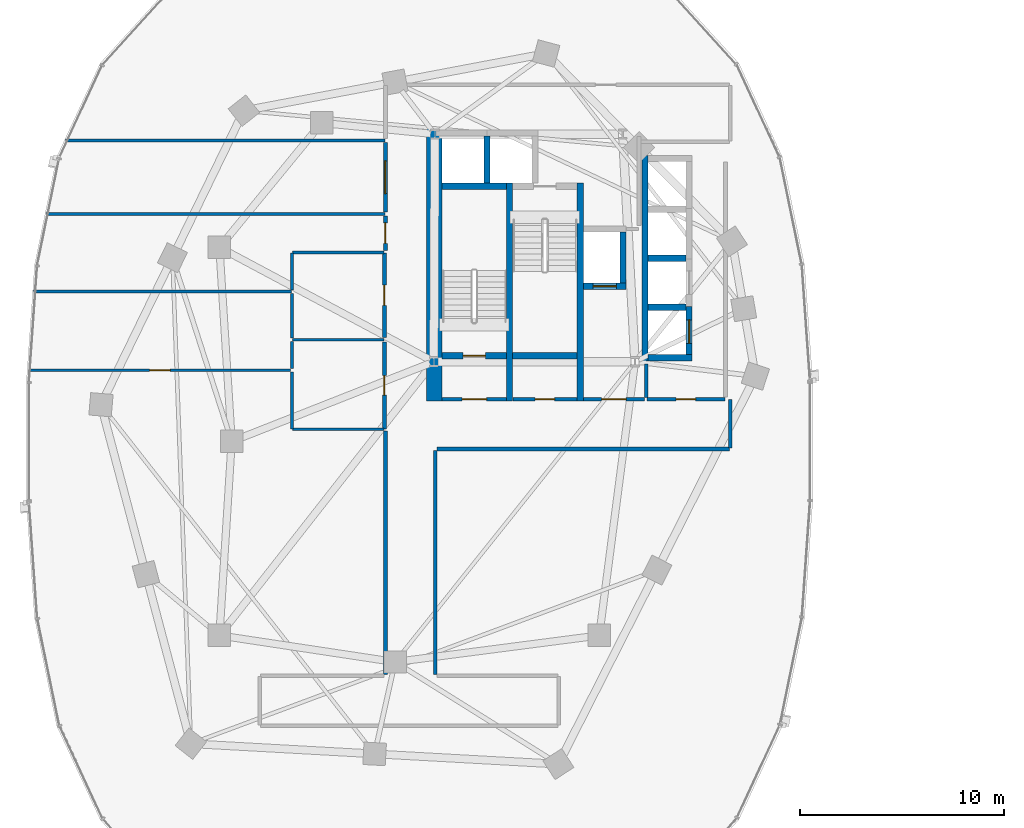
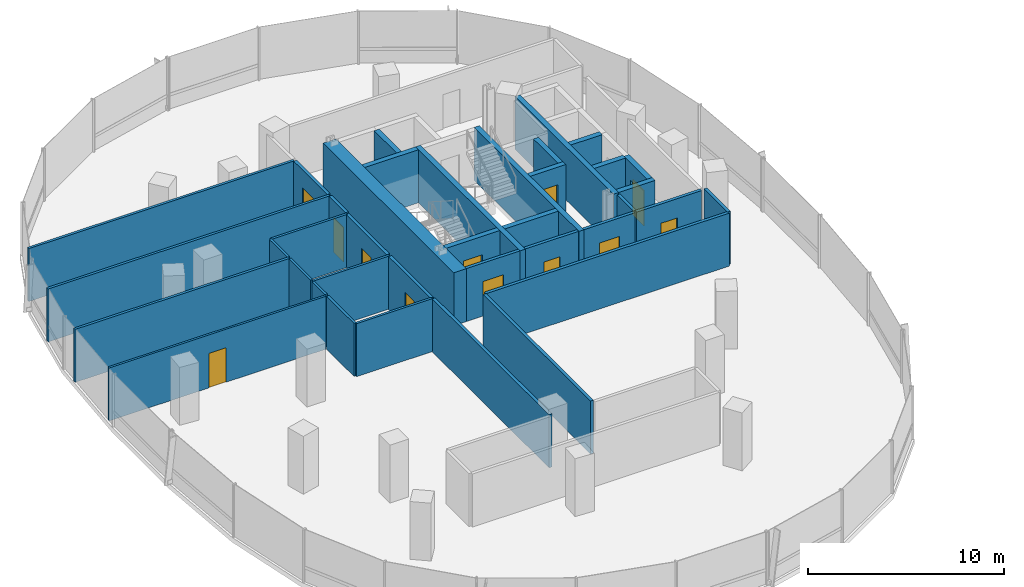
# One storey, part 11 of 21: 38 walls, 12 doors, 12 openings.
"""IFC4 building model written with IfcOpenShell, lengths in metres."""

from ifc_helpers import new_model, si_unit, direction, frame, frame_2d, origin, place, context, subcontext, project, spatial, rectangle, extrude, material, layer, layer_set, type_object, element, fill, save


model = new_model("IFC4")

# Units and contexts
model_context = context("Model", 3, precision=1e-05, world=origin(), true_north=direction((0.0, 1.0)))
body_context = subcontext(model_context, "Body", "Model", "MODEL_VIEW")
ifc_project = project(units=[si_unit("LENGTHUNIT", "METRE"), si_unit("AREAUNIT", "SQUARE_METRE"), si_unit("VOLUMEUNIT", "CUBIC_METRE"), si_unit("PLANEANGLEUNIT", "RADIAN"), si_unit("MASSUNIT", "GRAM", prefix="KILO"), si_unit("THERMODYNAMICTEMPERATUREUNIT", "KELVIN"), si_unit("POWERUNIT", "WATT")], contexts=[model_context])

# Site, building, storey
site_placement = place(None, origin())
site = spatial("IfcSite", under=ifc_project, at=site_placement, CompositionType="ELEMENT")
building_placement = place(site_placement, origin())
building = spatial("IfcBuilding", under=site, at=building_placement, Name="Cundina Bronze Exchange", CompositionType="ELEMENT")
storey_placement = place(building_placement, frame((0.0, 0.0, 85.39990234375)))
storey = spatial("IfcBuildingStorey", under=building, at=storey_placement, Name="L21", CompositionType="ELEMENT", Elevation=85.39990234375)

# Wall
ifc_material_1 = material(Name="Gypsum Fireboard Partition EI120")
ifc_layer_1 = layer(ifc_material_1, 0.179931640625, Name="Gypsum Fireboard Partition EI120")
ifc_layer_set_1 = layer_set([ifc_layer_1], Name="Gypsum Fireboard Partition EI120")
wall_type_1 = type_object("IfcWallType", Name="WL-COR-180", PredefinedType="PARTITIONING", material=ifc_layer_set_1)
wall_1_placement = place(storey_placement, frame((-20.889892578125, 2.14990234375, 0.0), z_axis=(0.0, 0.0, 1.0), x_axis=(0.0, 1.0, 0.0)))
element("IfcWall", 1, at=wall_1_placement, inside=storey, type_object=wall_type_1, Name="L21 W Firefighting Lobby Side Wall", PredefinedType="PARTITIONING", context=body_context, shape_type="SweptSolid", body=[
    extrude(rectangle(XDim=1.650146484375, YDim=0.179931640625, at=frame_2d((0.8251953125, 0.0))), origin(), (0.0, 0.0, 1.0), 3.300048828125),
])

# Wall, opening, door
wall_2_placement = place(storey_placement, frame((-23.97998046875, 2.06005859375, 0.0), z_axis=(0.0, 0.0, 1.0), x_axis=(1.0, 0.0, 0.0)))
wall_2 = element("IfcWall", 2, at=wall_2_placement, inside=storey, type_object=wall_type_1, Name="L21 W Firefighting Lobby Exit Wall", PredefinedType="PARTITIONING", context=body_context, shape_type="SweptSolid", body=[
    extrude(rectangle(XDim=3.0, YDim=0.179931640625, at=frame_2d((1.5, 0.0))), origin(), (0.0, 0.0, 1.0), 3.300048828125),
])
opening_1_placement = place(wall_2_placement, frame((0.89990234375, 0.0, 0.0)))
opening_1 = element("IfcOpeningElement", 3, at=opening_1_placement, cuts=wall_2, Name="Opening DF-01", PredefinedType="OPENING", context=body_context, shape_type="SweptSolid", body=[
    extrude(rectangle(XDim=1.199951171875, YDim=2.14990234375, at=frame_2d((0.60009765625, 1.074951171875))), frame((0.0, 0.099853515625, 0.0), z_axis=(0.0, -1.0, 0.0), x_axis=(1.0, 0.0, 0.0)), (0.0, 0.0, 1.0), 0.199951171875),
])
ifc_material_2 = material(Name="Steel ASTM A36 Painted", Category="steel")
door_type_1 = type_object("IfcDoorType", Name="DR-FFL-1200", OperationType="NOTDEFINED", PredefinedType="DOOR", material=ifc_material_2)
door_1_placement = place(opening_1_placement, origin())
door_1 = element("IfcDoor", 4, at=door_1_placement, inside=storey, type_object=door_type_1, Name="L21 W Firefighting Lobby Door", OperationType="SINGLE_SWING_RIGHT", OverallHeight=2.14990234375, OverallWidth=1.199951171875, PredefinedType="DOOR", context=body_context, shape_type="SweptSolid", body=[
    extrude(rectangle(XDim=1.199951171875, YDim=2.14990234375, at=frame_2d((0.60009765625, 1.074951171875))), frame((0.0, 0.02490234375, 0.0), z_axis=(0.0, -1.0, 0.0), x_axis=(1.0, 0.0, 0.0)), (0.0, 0.0, 1.0), 0.050048828125),
])
fill(opening_1, door_1)

wall_3_placement = place(storey_placement, frame((-30.89990234375, 2.06005859375, 0.0), z_axis=(0.0, 0.0, 1.0), x_axis=(1.0, 0.0, 0.0)))
wall_3 = element("IfcWall", 5, at=wall_3_placement, inside=storey, type_object=wall_type_1, Name="L21 W Stair Vestibule Exit Wall", PredefinedType="PARTITIONING", context=body_context, shape_type="SweptSolid", body=[
    extrude(rectangle(XDim=3.159912109375, YDim=0.179931640625, at=frame_2d((1.580078125, 0.0))), origin(), (0.0, 0.0, 1.0), 3.300048828125),
])
opening_2_placement = place(wall_3_placement, frame((0.97998046875, 0.0, 0.0)))
opening_2 = element("IfcOpeningElement", 6, at=opening_2_placement, cuts=wall_3, Name="Opening DF-01", PredefinedType="OPENING", context=body_context, shape_type="SweptSolid", body=[
    extrude(rectangle(XDim=1.199951171875, YDim=2.14990234375, at=frame_2d((0.60009765625, 1.074951171875))), frame((0.0, 0.099853515625, 0.0), z_axis=(0.0, -1.0, 0.0), x_axis=(1.0, 0.0, 0.0)), (0.0, 0.0, 1.0), 0.199951171875),
])
door_2_placement = place(opening_2_placement, origin())
door_2 = element("IfcDoor", 7, at=door_2_placement, inside=storey, type_object=door_type_1, Name="L21 W Stair Vestibule Door", OperationType="SINGLE_SWING_LEFT", OverallHeight=2.14990234375, OverallWidth=1.199951171875, PredefinedType="DOOR", context=body_context, shape_type="SweptSolid", body=[
    extrude(rectangle(XDim=1.199951171875, YDim=2.14990234375, at=frame_2d((0.60009765625, 1.074951171875))), frame((0.0, 0.02490234375, 0.0), z_axis=(0.0, -1.0, 0.0), x_axis=(1.0, 0.0, 0.0)), (0.0, 0.0, 1.0), 0.050048828125),
])
fill(opening_2, door_2)

wall_4_placement = place(storey_placement, frame((-20.8701171875, 2.070068359375, 0.0), z_axis=(0.0, 0.0, 1.0), x_axis=(1.0, 0.0, 0.0)))
wall_4 = element("IfcWall", 8, at=wall_4_placement, inside=storey, type_object=wall_type_1, Name="L21 Interior Partition 002", PredefinedType="PARTITIONING", context=body_context, shape_type="SweptSolid", body=[
    extrude(rectangle(XDim=3.830078125, YDim=0.179931640625, at=frame_2d((1.9150390625, 0.0))), origin(), (0.0, 0.0, 1.0), 3.300048828125),
])
opening_3_placement = place(wall_4_placement, frame((1.43994140625, 0.0, 0.0)))
opening_3 = element("IfcOpeningElement", 9, at=opening_3_placement, cuts=wall_4, Name="Opening DW-01", PredefinedType="OPENING", context=body_context, shape_type="SweptSolid", body=[
    extrude(rectangle(XDim=0.949951171875, YDim=2.10009765625, at=frame_2d((0.47509765625, 1.050048828125))), frame((0.0, 0.099853515625, 0.0), z_axis=(0.0, -1.0, 0.0), x_axis=(1.0, 0.0, 0.0)), (0.0, 0.0, 1.0), 0.199951171875),
])
ifc_material_3 = material(Name="Solid Andean Oak Timber Grade A", Category="wood")
door_type_2 = type_object("IfcDoorType", Name="DR-WC-950", OperationType="NOTDEFINED", PredefinedType="DOOR", material=ifc_material_3)
door_3_placement = place(opening_3_placement, origin())
door_3 = element("IfcDoor", 10, at=door_3_placement, inside=storey, type_object=door_type_2, Name="L21 Interior Door 002", OperationType="SINGLE_SWING_RIGHT", OverallHeight=2.10009765625, OverallWidth=0.949951171875, PredefinedType="DOOR", context=body_context, shape_type="SweptSolid", body=[
    extrude(rectangle(XDim=0.949951171875, YDim=2.10009765625, at=frame_2d((0.47509765625, 1.050048828125))), frame((0.0, 0.02490234375, 0.0), z_axis=(0.0, -1.0, 0.0), x_axis=(1.0, 0.0, 0.0)), (0.0, 0.0, 1.0), 0.050048828125),
])
fill(opening_3, door_3)

wall_5_placement = place(storey_placement, frame((-27.419921875, 2.070068359375, 0.0), z_axis=(0.0, 0.0, 1.0), x_axis=(1.0, 0.0, 0.0)))
wall_5 = element("IfcWall", 11, at=wall_5_placement, inside=storey, type_object=wall_type_1, Name="L21 Interior Partition 005", PredefinedType="PARTITIONING", context=body_context, shape_type="SweptSolid", body=[
    extrude(rectangle(XDim=3.119873046875, YDim=0.179931640625, at=frame_2d((1.56005859375, 0.0))), origin(), (0.0, 0.0, 1.0), 3.300048828125),
])
opening_4_placement = place(wall_5_placement, frame((1.0849609375, 0.0, 0.0)))
opening_4 = element("IfcOpeningElement", 12, at=opening_4_placement, cuts=wall_5, Name="Opening DW-01", PredefinedType="OPENING", context=body_context, shape_type="SweptSolid", body=[
    extrude(rectangle(XDim=0.949951171875, YDim=2.10009765625, at=frame_2d((0.47509765625, 1.050048828125))), frame((0.0, 0.099853515625, 0.0), z_axis=(0.0, -1.0, 0.0), x_axis=(1.0, 0.0, 0.0)), (0.0, 0.0, 1.0), 0.199951171875),
])
door_4_placement = place(opening_4_placement, origin())
door_4 = element("IfcDoor", 13, at=door_4_placement, inside=storey, type_object=door_type_2, Name="L21 Interior Door 005", OperationType="SINGLE_SWING_RIGHT", OverallHeight=2.10009765625, OverallWidth=0.949951171875, PredefinedType="DOOR", context=body_context, shape_type="SweptSolid", body=[
    extrude(rectangle(XDim=0.949951171875, YDim=2.10009765625, at=frame_2d((0.47509765625, 1.050048828125))), frame((0.0, 0.02490234375, 0.0), z_axis=(0.0, -1.0, 0.0), x_axis=(1.0, 0.0, 0.0)), (0.0, 0.0, 1.0), 0.050048828125),
])
fill(opening_4, door_4)

wall_6_placement = place(storey_placement, frame((-33.719970703125, 0.6201171875, 0.0), z_axis=(0.0, 0.0, 1.0), x_axis=(0.0, 1.0, 0.0)))
wall_6 = element("IfcWall", 14, at=wall_6_placement, inside=storey, type_object=wall_type_1, Name="L21 Interior Partition 013", PredefinedType="PARTITIONING", context=body_context, shape_type="SweptSolid", body=[
    extrude(rectangle(XDim=4.259765625, YDim=0.179931640625, at=frame_2d((2.1298828125, 0.0))), origin(), (0.0, 0.0, 1.0), 3.300048828125),
])
opening_5_placement = place(wall_6_placement, frame((1.655029296875, 0.0, 0.0)))
opening_5 = element("IfcOpeningElement", 15, at=opening_5_placement, cuts=wall_6, Name="Opening DW-01", PredefinedType="OPENING", context=body_context, shape_type="SweptSolid", body=[
    extrude(rectangle(XDim=0.949951171875, YDim=2.10009765625, at=frame_2d((0.47509765625, 1.050048828125))), frame((0.0, 0.099853515625, 0.0), z_axis=(0.0, -1.0, 0.0), x_axis=(1.0, 0.0, 0.0)), (0.0, 0.0, 1.0), 0.199951171875),
])
door_5_placement = place(opening_5_placement, origin())
door_5 = element("IfcDoor", 16, at=door_5_placement, inside=storey, type_object=door_type_2, Name="L21 Interior Door 013", OperationType="SINGLE_SWING_RIGHT", OverallHeight=2.10009765625, OverallWidth=0.949951171875, PredefinedType="DOOR", context=body_context, shape_type="SweptSolid", body=[
    extrude(rectangle(XDim=0.949951171875, YDim=2.10009765625, at=frame_2d((0.47509765625, 1.050048828125))), frame((0.0, 0.02490234375, 0.0), z_axis=(0.0, -1.0, 0.0), x_axis=(1.0, 0.0, 0.0)), (0.0, 0.0, 1.0), 0.050048828125),
])
fill(opening_5, door_5)

wall_7_placement = place(storey_placement, frame((-33.719970703125, 5.080078125, 0.0), z_axis=(0.0, 0.0, 1.0), x_axis=(0.0, 1.0, 0.0)))
wall_7 = element("IfcWall", 17, at=wall_7_placement, inside=storey, type_object=wall_type_1, Name="L21 Interior Partition 014", PredefinedType="PARTITIONING", context=body_context, shape_type="SweptSolid", body=[
    extrude(rectangle(XDim=4.159912109375, YDim=0.179931640625, at=frame_2d((2.080078125, 0.0))), origin(), (0.0, 0.0, 1.0), 3.300048828125),
])
opening_6_placement = place(wall_7_placement, frame((1.580078125, 0.0, 0.0)))
opening_6 = element("IfcOpeningElement", 18, at=opening_6_placement, cuts=wall_7, Name="Opening DO-01", PredefinedType="OPENING", context=body_context, shape_type="SweptSolid", body=[
    extrude(rectangle(XDim=1.0, YDim=2.14990234375, at=frame_2d((0.5, 1.074951171875))), frame((0.0, 0.099853515625, 0.0), z_axis=(0.0, -1.0, 0.0), x_axis=(1.0, 0.0, 0.0)), (0.0, 0.0, 1.0), 0.199951171875),
])
door_type_3 = type_object("IfcDoorType", Name="DR-OFF-1000", OperationType="NOTDEFINED", PredefinedType="DOOR", material=ifc_material_3)
door_6_placement = place(opening_6_placement, origin())
door_6 = element("IfcDoor", 19, at=door_6_placement, inside=storey, type_object=door_type_3, Name="L21 Interior Door 014", OperationType="SINGLE_SWING_RIGHT", OverallHeight=2.14990234375, OverallWidth=1.0, PredefinedType="DOOR", context=body_context, shape_type="SweptSolid", body=[
    extrude(rectangle(XDim=1.0, YDim=2.14990234375, at=frame_2d((0.5, 1.074951171875))), frame((0.0, 0.02490234375, 0.0), z_axis=(0.0, -1.0, 0.0), x_axis=(1.0, 0.0, 0.0)), (0.0, 0.0, 1.0), 0.050048828125),
])
fill(opening_6, door_6)

# Walls
wall_8_placement = place(storey_placement, frame((-31.14990234375, -0.3701171875, 0.0), z_axis=(0.0, 0.0, 1.0), x_axis=(1.0, 0.0, 0.0)))
element("IfcWall", 20, at=wall_8_placement, inside=storey, type_object=wall_type_1, Name="L21 Interior Partition 020", PredefinedType="PARTITIONING", context=body_context, shape_type="SweptSolid", body=[
    extrude(rectangle(XDim=14.328369140625, YDim=0.179931640625, at=frame_2d((7.1640625, 0.0))), origin(), (0.0, 0.0, 1.0), 3.300048828125),
])
wall_9_placement = place(storey_placement, frame((-33.669921875, 0.508544921875, 0.0), z_axis=(0.0, 0.0, 1.0), x_axis=(0.0, -1.0, 0.0)))
element("IfcWall", 21, at=wall_9_placement, inside=storey, type_object=wall_type_1, Name="L21 Interior Partition 021", PredefinedType="PARTITIONING", context=body_context, shape_type="SweptSolid", body=[
    extrude(rectangle(XDim=11.908447265625, YDim=0.179931640625, at=frame_2d((5.9541015625, 0.0))), origin(), (0.0, 0.0, 1.0), 3.300048828125),
])
wall_10_placement = place(storey_placement, frame((-31.22998046875, -11.39990234375, 0.0), z_axis=(0.0, 0.0, 1.0), x_axis=(0.0, 1.0, 0.0)))
element("IfcWall", 22, at=wall_10_placement, inside=storey, type_object=wall_type_1, Name="L21 Interior Partition 022", PredefinedType="PARTITIONING", context=body_context, shape_type="SweptSolid", body=[
    extrude(rectangle(XDim=10.949951171875, YDim=0.179931640625, at=frame_2d((5.47509765625, 0.0))), origin(), (0.0, 0.0, 1.0), 3.300048828125),
])
wall_11_placement = place(storey_placement, frame((-16.780029296875, -0.32861328125, 0.0), z_axis=(0.0, 0.0, 1.0), x_axis=(0.0, 1.0, 0.0)))
element("IfcWall", 23, at=wall_11_placement, inside=storey, type_object=wall_type_1, Name="L21 Interior Partition 028", PredefinedType="PARTITIONING", context=body_context, shape_type="SweptSolid", body=[
    extrude(rectangle(XDim=2.38720703125, YDim=0.179931640625, at=frame_2d((1.193603515625, 0.0))), origin(), (0.0, 0.0, 1.0), 3.300048828125),
])

# Wall, opening, door
wall_12_placement = place(storey_placement, frame((-33.669921875, 11.050048828125, 0.0), z_axis=(0.0, 0.0, 1.0), x_axis=(0.0, -1.0, 0.0)))
wall_12 = element("IfcWall", 24, at=wall_12_placement, inside=storey, type_object=wall_type_1, Name="L21 Interior Partition 031", PredefinedType="PARTITIONING", context=body_context, shape_type="SweptSolid", body=[
    extrude(rectangle(XDim=1.69873046875, YDim=0.179931640625, at=frame_2d((0.849365234375, 0.0))), origin(), (0.0, 0.0, 1.0), 3.300048828125),
])
opening_7_placement = place(wall_12_placement, frame((0.349365234375, 0.0, 0.0)))
opening_7 = element("IfcOpeningElement", 25, at=opening_7_placement, cuts=wall_12, Name="Opening DO-01", PredefinedType="OPENING", context=body_context, shape_type="SweptSolid", body=[
    extrude(rectangle(XDim=1.0, YDim=2.14990234375, at=frame_2d((0.5, 1.074951171875))), frame((0.0, 0.099853515625, 0.0), z_axis=(0.0, -1.0, 0.0), x_axis=(1.0, 0.0, 0.0)), (0.0, 0.0, 1.0), 0.199951171875),
])
door_7_placement = place(opening_7_placement, origin())
door_7 = element("IfcDoor", 26, at=door_7_placement, inside=storey, type_object=door_type_3, Name="L21 Interior Door 031", OperationType="SINGLE_SWING_RIGHT", OverallHeight=2.14990234375, OverallWidth=1.0, PredefinedType="DOOR", context=body_context, shape_type="SweptSolid", body=[
    extrude(rectangle(XDim=1.0, YDim=2.14990234375, at=frame_2d((0.5, 1.074951171875))), frame((0.0, 0.02490234375, 0.0), z_axis=(0.0, -1.0, 0.0), x_axis=(1.0, 0.0, 0.0)), (0.0, 0.0, 1.0), 0.050048828125),
])
fill(opening_7, door_7)

wall_13_placement = place(storey_placement, frame((-33.669921875, 14.64990234375, 0.0), z_axis=(0.0, 0.0, 1.0), x_axis=(0.0, -1.0, 0.0)))
wall_13 = element("IfcWall", 27, at=wall_13_placement, inside=storey, type_object=wall_type_1, Name="L21 Interior Partition 032", PredefinedType="PARTITIONING", context=body_context, shape_type="SweptSolid", body=[
    extrude(rectangle(XDim=3.419921875, YDim=0.179931640625, at=frame_2d((1.7099609375, 0.0))), origin(), (0.0, 0.0, 1.0), 3.300048828125),
])
opening_8_placement = place(wall_13_placement, frame((0.909912109375, 0.0, 0.0)))
opening_8 = element("IfcOpeningElement", 28, at=opening_8_placement, cuts=wall_13, Name="Opening DO-02", PredefinedType="OPENING", context=body_context, shape_type="SweptSolid", body=[
    extrude(rectangle(XDim=1.60009765625, YDim=2.199951171875, at=frame_2d((0.800048828125, 1.10009765625))), frame((0.0, 0.099853515625, 0.0), z_axis=(0.0, -1.0, 0.0), x_axis=(1.0, 0.0, 0.0)), (0.0, 0.0, 1.0), 0.199951171875),
])
door_type_4 = type_object("IfcDoorType", Name="DR-TRD-1600", OperationType="NOTDEFINED", PredefinedType="DOOR", material=ifc_material_3)
door_8_placement = place(opening_8_placement, origin())
door_8 = element("IfcDoor", 29, at=door_8_placement, inside=storey, type_object=door_type_4, Name="L21 Interior Door 032", OperationType="SINGLE_SWING_RIGHT", OverallHeight=2.199951171875, OverallWidth=1.60009765625, PredefinedType="DOOR", context=body_context, shape_type="SweptSolid", body=[
    extrude(rectangle(XDim=1.60009765625, YDim=2.199951171875, at=frame_2d((0.800048828125, 1.10009765625))), frame((0.0, 0.02490234375, 0.0), z_axis=(0.0, -1.0, 0.0), x_axis=(1.0, 0.0, 0.0)), (0.0, 0.0, 1.0), 0.050048828125),
])
fill(opening_8, door_8)

# Wall
ifc_material_4 = material(Name="Concrete C60/75", Category="concrete")
ifc_layer_2 = layer(ifc_material_4, 0.75, Name="Concrete C60/75", Category="concrete")
ifc_layer_set_2 = layer_set([ifc_layer_2], Name="Concrete C60/75")
wall_type_2 = type_object("IfcWallType", Name="WL-CORE-750", PredefinedType="SHEAR", material=ifc_layer_set_2)
wall_14_placement = place(storey_placement, frame((-31.27490234375, 1.969970703125, 0.0), z_axis=(0.0, 0.0, 1.0), x_axis=(0.0, 1.0, 0.0)))
element("IfcWall", 30, at=wall_14_placement, inside=storey, type_object=wall_type_2, Name="L21 W Primary Core Shear Spine Wall", PredefinedType="SHEAR", context=body_context, shape_type="SweptSolid", body=[
    extrude(rectangle(XDim=13.330078125, YDim=0.75, at=frame_2d((6.6650390625, 0.0))), origin(), (0.0, 0.0, 1.0), 3.300048828125),
])

# Wall, opening, door
ifc_material_5 = material(Name="Gypsum Acoustic Partition EI60")
ifc_layer_3 = layer(ifc_material_5, 0.125, Name="Gypsum Acoustic Partition EI60")
ifc_layer_set_3 = layer_set([ifc_layer_3], Name="Gypsum Acoustic Partition EI60")
wall_type_3 = type_object("IfcWallType", Name="WL-OFF-125", PredefinedType="PARTITIONING", material=ifc_layer_set_3)
wall_15_placement = place(storey_placement, frame((-38.320068359375, 3.489990234375, 0.0), z_axis=(0.0, 0.0, 1.0), x_axis=(-1.0, 0.0, 0.0)))
wall_15 = element("IfcWall", 31, at=wall_15_placement, inside=storey, type_object=wall_type_3, Name="L21 Interior Partition 033", PredefinedType="PARTITIONING", context=body_context, shape_type="SweptSolid", body=[
    extrude(rectangle(XDim=12.7900390625, YDim=0.125, at=frame_2d((6.39501953125, 0.0))), origin(), (0.0, 0.0, 1.0), 3.300048828125),
])
opening_9_placement = place(wall_15_placement, frame((5.89501953125, 0.0, 0.0)))
opening_9 = element("IfcOpeningElement", 32, at=opening_9_placement, cuts=wall_15, Name="Opening DO-01", PredefinedType="OPENING", context=body_context, shape_type="SweptSolid", body=[
    extrude(rectangle(XDim=1.0, YDim=2.14990234375, at=frame_2d((0.5, 1.074951171875))), frame((0.0, 0.072509765625, 0.0), z_axis=(0.0, -1.0, 0.0), x_axis=(1.0, 0.0, 0.0)), (0.0, 0.0, 1.0), 0.14501953125),
])
door_9_placement = place(opening_9_placement, origin())
door_9 = element("IfcDoor", 33, at=door_9_placement, inside=storey, type_object=door_type_3, Name="L21 Interior Door 033", OperationType="SINGLE_SWING_RIGHT", OverallHeight=2.14990234375, OverallWidth=1.0, PredefinedType="DOOR", context=body_context, shape_type="SweptSolid", body=[
    extrude(rectangle(XDim=1.0, YDim=2.14990234375, at=frame_2d((0.5, 1.074951171875))), frame((0.0, 0.02490234375, 0.0), z_axis=(0.0, -1.0, 0.0), x_axis=(1.0, 0.0, 0.0)), (0.0, 0.0, 1.0), 0.050048828125),
])
fill(opening_9, door_9)

# Walls
ifc_material_6 = material(Name="Concrete C50/60", Category="concrete")
ifc_layer_4 = layer(ifc_material_6, 0.300048828125, Name="Concrete C50/60", Category="concrete")
ifc_layer_set_4 = layer_set([ifc_layer_4], Name="Concrete C50/60")
wall_type_4 = type_object("IfcWallType", Name="WL-SHFT-300", PredefinedType="SHEAR", material=ifc_layer_set_4)
for number, where, z_axis, x_axis, name in (
    (34, (-27.590087890625, 1.969970703125, 0.0), (0.0, 0.0, 1.0), (0.0, 1.0, 0.0), "L21 W Stair Shaft Dividing Shear Wall"),
    (35, (-24.1298828125, 1.969970703125, 0.0), (0.0, 0.0, 1.0), (0.0, 1.0, 0.0), "L21 W Stair 2 East Shear Wall"),
):
    element("IfcWall", number, at=place(storey_placement, frame(where, z_axis=z_axis, x_axis=x_axis)), inside=storey, type_object=wall_type_4, Name=name, PredefinedType="SHEAR", context=body_context, shape_type="SweptSolid", body=[
        extrude(rectangle(XDim=10.679931640625, YDim=0.300048828125, at=frame_2d((5.33984375, 0.0))), origin(), (0.0, 0.0, 1.0), 3.300048828125),
    ])

# Wall, opening, door
wall_16_placement = place(storey_placement, frame((-30.89990234375, 4.199951171875, 0.0), z_axis=(0.0, 0.0, 1.0), x_axis=(1.0, 0.0, 0.0)))
wall_16 = element("IfcWall", 36, at=wall_16_placement, inside=storey, type_object=wall_type_4, Name="L21 Stair W1 Landing Wall", PredefinedType="SHEAR", context=body_context, shape_type="SweptSolid", body=[
    extrude(rectangle(XDim=3.159912109375, YDim=0.300048828125, at=frame_2d((1.580078125, 0.0))), origin(), (0.0, 0.0, 1.0), 3.300048828125),
])
opening_10_placement = place(wall_16_placement, frame((1.030029296875, 0.0, 0.0)))
opening_10 = element("IfcOpeningElement", 37, at=opening_10_placement, cuts=wall_16, Name="Opening DS-01", PredefinedType="OPENING", context=body_context, shape_type="SweptSolid", body=[
    extrude(rectangle(XDim=1.10009765625, YDim=2.14990234375, at=frame_2d((0.550048828125, 1.074951171875))), frame((0.0, 0.159912109375, 0.0), z_axis=(0.0, -1.0, 0.0), x_axis=(1.0, 0.0, 0.0)), (0.0, 0.0, 1.0), 0.320068359375),
])
door_type_5 = type_object("IfcDoorType", Name="DR-STR-1100", OperationType="NOTDEFINED", PredefinedType="DOOR", material=ifc_material_2)
door_10_placement = place(opening_10_placement, origin())
door_10 = element("IfcDoor", 38, at=door_10_placement, inside=storey, type_object=door_type_5, Name="L21 Smokeproof Stair W1 Door", OperationType="SINGLE_SWING_RIGHT", OverallHeight=2.14990234375, OverallWidth=1.10009765625, PredefinedType="DOOR", context=body_context, shape_type="SweptSolid", body=[
    extrude(rectangle(XDim=1.10009765625, YDim=2.14990234375, at=frame_2d((0.550048828125, 1.074951171875))), frame((0.0, 0.02490234375, 0.0), z_axis=(0.0, -1.0, 0.0), x_axis=(1.0, 0.0, 0.0)), (0.0, 0.0, 1.0), 0.050048828125),
])
fill(opening_10, door_10)

# Walls
for number, where, z_axis, x_axis, name in (
    (39, (-30.89990234375, 12.5, 0.0), (0.0, 0.0, 1.0), (1.0, 0.0, 0.0), "L21 Stair W1 Far Shaft Wall"),
    (40, (-27.43994140625, 4.199951171875, 0.0), (0.0, 0.0, 1.0), (1.0, 0.0, 0.0), "L21 Stair W2 Far Shaft Wall"),
):
    element("IfcWall", number, at=place(storey_placement, frame(where, z_axis=z_axis, x_axis=x_axis)), inside=storey, type_object=wall_type_4, Name=name, PredefinedType="SHEAR", context=body_context, shape_type="SweptSolid", body=[
        extrude(rectangle(XDim=3.159912109375, YDim=0.300048828125, at=frame_2d((1.580078125, 0.0))), origin(), (0.0, 0.0, 1.0), 3.300048828125),
    ])

# Wall, opening, door
wall_17_placement = place(storey_placement, frame((-23.97998046875, 7.60009765625, 0.0), z_axis=(0.0, 0.0, 1.0), x_axis=(1.0, 0.0, 0.0)))
wall_17 = element("IfcWall", 41, at=wall_17_placement, inside=storey, type_object=wall_type_4, Name="L21 FFL-W Hoistway Front Wall", PredefinedType="SHEAR", context=body_context, shape_type="SweptSolid", body=[
    extrude(rectangle(XDim=2.10009765625, YDim=0.300048828125, at=frame_2d((1.050048828125, 0.0))), origin(), (0.0, 0.0, 1.0), 3.300048828125),
])
opening_11_placement = place(wall_17_placement, frame((0.47509765625, 0.0, 0.0)))
opening_11 = element("IfcOpeningElement", 42, at=opening_11_placement, cuts=wall_17, Name="Opening LD-01", PredefinedType="OPENING", context=body_context, shape_type="SweptSolid", body=[
    extrude(rectangle(XDim=1.14990234375, YDim=2.199951171875, at=frame_2d((0.574951171875, 1.10009765625))), frame((0.0, 0.159912109375, 0.0), z_axis=(0.0, -1.0, 0.0), x_axis=(1.0, 0.0, 0.0)), (0.0, 0.0, 1.0), 0.320068359375),
])
door_type_6 = type_object("IfcDoorType", Name="DR-LND-1150", OperationType="NOTDEFINED", PredefinedType="TRAPDOOR", material=ifc_material_2)
door_11_placement = place(opening_11_placement, origin())
door_11 = element("IfcDoor", 43, at=door_11_placement, inside=storey, type_object=door_type_6, Name="L21 FFL-W Sliding Landing Door", OperationType="SLIDING_TO_LEFT", OverallHeight=2.199951171875, OverallWidth=1.14990234375, PredefinedType="TRAPDOOR", context=body_context, shape_type="SweptSolid", body=[
    extrude(rectangle(XDim=1.14990234375, YDim=2.199951171875, at=frame_2d((0.574951171875, 1.10009765625))), frame((0.0, 0.02490234375, 0.0), z_axis=(0.0, -1.0, 0.0), x_axis=(1.0, 0.0, 0.0)), (0.0, 0.0, 1.0), 0.050048828125),
])
fill(opening_11, door_11)

# Walls
wall_18_placement = place(storey_placement, frame((-22.030029296875, 7.75, 0.0), z_axis=(0.0, 0.0, 1.0), x_axis=(0.0, 1.0, 0.0)))
element("IfcWall", 44, at=wall_18_placement, inside=storey, type_object=wall_type_4, Name="L21 FFL-W Hoistway Side Wall", PredefinedType="SHEAR", context=body_context, shape_type="SweptSolid", body=[
    extrude(rectangle(XDim=2.5, YDim=0.300048828125, at=frame_2d((1.25, 0.0))), origin(), (0.0, 0.0, 1.0), 3.300048828125),
])
wall_19_placement = place(storey_placement, frame((-28.699951171875, 12.64990234375, 0.0), z_axis=(0.0, 0.0, 1.0), x_axis=(0.0, 1.0, 0.0)))
element("IfcWall", 45, at=wall_19_placement, inside=storey, type_object=wall_type_4, Name="L21 PH-W1 Hoistway Divider Wall", PredefinedType="SHEAR", context=body_context, shape_type="SweptSolid", body=[
    extrude(rectangle(XDim=2.300048828125, YDim=0.300048828125, at=frame_2d((1.14990234375, 0.0))), origin(), (0.0, 0.0, 1.0), 3.300048828125),
])
wall_20_placement = place(storey_placement, frame((-20.949951171875, 3.949951171875, 0.0), z_axis=(0.0, 0.0, 1.0), x_axis=(0.0, 1.0, 0.0)))
element("IfcWall", 46, at=wall_20_placement, inside=storey, type_object=wall_type_4, Name="L21 W Passenger Bank Hoistway Back Wall", PredefinedType="SHEAR", context=body_context, shape_type="SweptSolid", body=[
    extrude(rectangle(XDim=10.050048828125, YDim=0.300048828125, at=frame_2d((5.02490234375, 0.0))), origin(), (0.0, 0.0, 1.0), 3.300048828125),
])
wall_21_placement = place(storey_placement, frame((-20.800048828125, 4.10009765625, 0.0), z_axis=(0.0, 0.0, 1.0), x_axis=(1.0, 0.0, 0.0)))
element("IfcWall", 47, at=wall_21_placement, inside=storey, type_object=wall_type_4, Name="L21 W Passenger Bank South Cap Wall", PredefinedType="SHEAR", context=body_context, shape_type="SweptSolid", body=[
    extrude(rectangle(XDim=2.150146484375, YDim=0.300048828125, at=frame_2d((1.0751953125, 0.0))), origin(), (0.0, 0.0, 1.0), 3.300048828125),
])
for number, where, z_axis, x_axis, name in (
    (48, (-20.800048828125, 6.574951171875, 0.0), (0.0, 0.0, 1.0), (1.0, 0.0, 0.0), "L21 W Passenger Hoistway Divider 1"),
    (49, (-20.800048828125, 8.97509765625, 0.0), (0.0, 0.0, 1.0), (1.0, 0.0, 0.0), "L21 W Passenger Hoistway Divider 2"),
):
    element("IfcWall", number, at=place(storey_placement, frame(where, z_axis=z_axis, x_axis=x_axis)), inside=storey, type_object=wall_type_4, Name=name, PredefinedType="SHEAR", context=body_context, shape_type="SweptSolid", body=[
        extrude(rectangle(XDim=1.85009765625, YDim=0.300048828125, at=frame_2d((0.925048828125, 0.0))), origin(), (0.0, 0.0, 1.0), 3.300048828125),
    ])

# Wall, opening, door
wall_22_placement = place(storey_placement, frame((-18.800048828125, 4.1298828125, 0.0), z_axis=(0.0, 0.0, 1.0), x_axis=(0.0, 1.0, 0.0)))
wall_22 = element("IfcWall", 50, at=wall_22_placement, inside=storey, type_object=wall_type_4, Name="L21 PL-W2 Hoistway Front Wall", PredefinedType="SHEAR", context=body_context, shape_type="SweptSolid", body=[
    extrude(rectangle(XDim=2.490234375, YDim=0.300048828125, at=frame_2d((1.2451171875, 0.0))), origin(), (0.0, 0.0, 1.0), 3.300048828125),
])
opening_12_placement = place(wall_22_placement, frame((0.669921875, 0.0, 0.0)))
opening_12 = element("IfcOpeningElement", 51, at=opening_12_placement, cuts=wall_22, Name="Opening LD-01", PredefinedType="OPENING", context=body_context, shape_type="SweptSolid", body=[
    extrude(rectangle(XDim=1.14990234375, YDim=2.199951171875, at=frame_2d((0.574951171875, 1.10009765625))), frame((0.0, 0.159912109375, 0.0), z_axis=(0.0, -1.0, 0.0), x_axis=(1.0, 0.0, 0.0)), (0.0, 0.0, 1.0), 0.320068359375),
])
door_12_placement = place(opening_12_placement, origin())
door_12 = element("IfcDoor", 52, at=door_12_placement, inside=storey, type_object=door_type_6, Name="L21 PL-W2 Sliding Landing Door", OperationType="SLIDING_TO_LEFT", OverallHeight=2.199951171875, OverallWidth=1.14990234375, PredefinedType="TRAPDOOR", context=body_context, shape_type="SweptSolid", body=[
    extrude(rectangle(XDim=1.14990234375, YDim=2.199951171875, at=frame_2d((0.574951171875, 1.10009765625))), frame((0.0, 0.02490234375, 0.0), z_axis=(0.0, -1.0, 0.0), x_axis=(1.0, 0.0, 0.0)), (0.0, 0.0, 1.0), 0.050048828125),
])
fill(opening_12, door_12)

# Walls
ifc_layer_5 = layer(ifc_material_5, 0.14990234375, Name="Gypsum Acoustic Partition EI60")
ifc_layer_set_5 = layer_set([ifc_layer_5], Name="Gypsum Acoustic Partition EI60")
wall_type_5 = type_object("IfcWallType", Name="WL-TEN-150", PredefinedType="PARTITIONING", material=ifc_layer_set_5)
wall_23_placement = place(storey_placement, frame((-50.8974609375, 7.340087890625, 0.0), z_axis=(0.0, 0.0, 1.0), x_axis=(1.0, 0.0, 0.0)))
element("IfcWall", 53, at=wall_23_placement, inside=storey, type_object=wall_type_5, Name="L21 Interior Partition 015", PredefinedType="PARTITIONING", context=body_context, shape_type="SweptSolid", body=[
    extrude(rectangle(XDim=12.62744140625, YDim=0.14990234375, at=frame_2d((6.313720703125, 0.0))), origin(), (0.0, 0.0, 1.0), 3.300048828125),
])
wall_24_placement = place(storey_placement, frame((-50.29296875, 11.139892578125, 0.0), z_axis=(0.0, 0.0, 1.0), x_axis=(1.0, 0.0, 0.0)))
element("IfcWall", 54, at=wall_24_placement, inside=storey, type_object=wall_type_5, Name="L21 Interior Partition 016", PredefinedType="PARTITIONING", context=body_context, shape_type="SweptSolid", body=[
    extrude(rectangle(XDim=16.593017578125, YDim=0.14990234375, at=frame_2d((8.29638671875, 0.0))), origin(), (0.0, 0.0, 1.0), 3.300048828125),
])
wall_25_placement = place(storey_placement, frame((-49.34326171875, 14.739990234375, 0.0), z_axis=(0.0, 0.0, 1.0), x_axis=(1.0, 0.0, 0.0)))
element("IfcWall", 55, at=wall_25_placement, inside=storey, type_object=wall_type_5, Name="L21 Interior Partition 017", PredefinedType="PARTITIONING", context=body_context, shape_type="SweptSolid", body=[
    extrude(rectangle(XDim=15.643310546875, YDim=0.14990234375, at=frame_2d((7.82177734375, 0.0))), origin(), (0.0, 0.0, 1.0), 3.300048828125),
])
ifc_material_7 = material(Name="Moisture-Resistant Masonry Block Grade M15", Category="masonry")
ifc_layer_6 = layer(ifc_material_7, 0.139892578125, Name="Moisture-Resistant Masonry Block Grade M15", Category="masonry")
ifc_layer_set_6 = layer_set([ifc_layer_6], Name="Moisture-Resistant Masonry Block Grade M15")
wall_type_6 = type_object("IfcWallType", Name="WL-WET-140", PredefinedType="PARTITIONING", material=ifc_layer_set_6)
wall_26_placement = place(storey_placement, frame((-38.239990234375, 0.6201171875, 0.0), z_axis=(0.0, 0.0, 1.0), x_axis=(0.0, 1.0, 0.0)))
element("IfcWall", 56, at=wall_26_placement, inside=storey, type_object=wall_type_6, Name="L21 Interior Partition 006", PredefinedType="PARTITIONING", context=body_context, shape_type="SweptSolid", body=[
    extrude(rectangle(XDim=2.784912109375, YDim=0.139892578125, at=frame_2d((1.392578125, 0.0))), origin(), (0.0, 0.0, 1.0), 3.300048828125),
])
wall_27_placement = place(storey_placement, frame((-38.239990234375, 3.574951171875, 0.0), z_axis=(0.0, 0.0, 1.0), x_axis=(0.0, 1.0, 0.0)))
element("IfcWall", 57, at=wall_27_placement, inside=storey, type_object=wall_type_6, Name="L21 Interior Partition 007", PredefinedType="PARTITIONING", context=body_context, shape_type="SweptSolid", body=[
    extrude(rectangle(XDim=1.320068359375, YDim=0.139892578125, at=frame_2d((0.66015625, 0.0))), origin(), (0.0, 0.0, 1.0), 3.300048828125),
])
wall_28_placement = place(storey_placement, frame((-38.239990234375, 5.06494140625, 0.0), z_axis=(0.0, 0.0, 1.0), x_axis=(0.0, 1.0, 0.0)))
element("IfcWall", 58, at=wall_28_placement, inside=storey, type_object=wall_type_6, Name="L21 Interior Partition 008", PredefinedType="PARTITIONING", context=body_context, shape_type="SweptSolid", body=[
    extrude(rectangle(XDim=2.18994140625, YDim=0.139892578125, at=frame_2d((1.094970703125, 0.0))), origin(), (0.0, 0.0, 1.0), 3.300048828125),
])
wall_29_placement = place(storey_placement, frame((-38.239990234375, 7.425048828125, 0.0), z_axis=(0.0, 0.0, 1.0), x_axis=(0.0, 1.0, 0.0)))
element("IfcWall", 59, at=wall_29_placement, inside=storey, type_object=wall_type_6, Name="L21 Interior Partition 009", PredefinedType="PARTITIONING", context=body_context, shape_type="SweptSolid", body=[
    extrude(rectangle(XDim=1.81494140625, YDim=0.139892578125, at=frame_2d((0.907470703125, 0.0))), origin(), (0.0, 0.0, 1.0), 3.300048828125),
])
for number, where, z_axis, x_axis, name in (
    (60, (-38.219970703125, 0.60009765625, 0.0), (0.0, 0.0, 1.0), (1.0, 0.0, 0.0), "L21 Interior Partition 010"),
    (61, (-38.219970703125, 4.97998046875, 0.0), (0.0, 0.0, 1.0), (1.0, 0.0, 0.0), "L21 Interior Partition 011"),
    (62, (-38.219970703125, 9.260009765625, 0.0), (0.0, 0.0, 1.0), (1.0, 0.0, 0.0), "L21 Interior Partition 012"),
):
    element("IfcWall", number, at=place(storey_placement, frame(where, z_axis=z_axis, x_axis=x_axis)), inside=storey, type_object=wall_type_6, Name=name, PredefinedType="PARTITIONING", context=body_context, shape_type="SweptSolid", body=[
        extrude(rectangle(XDim=4.47998046875, YDim=0.139892578125, at=frame_2d((2.239990234375, 0.0))), origin(), (0.0, 0.0, 1.0), 3.300048828125),
    ])

save(model, "model.ifc")
